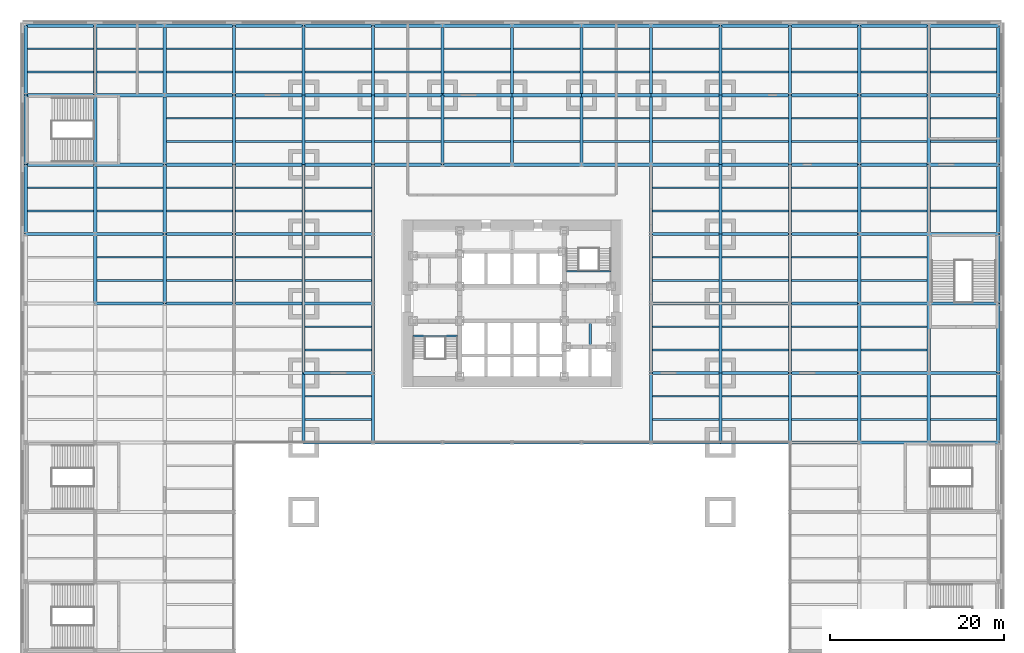
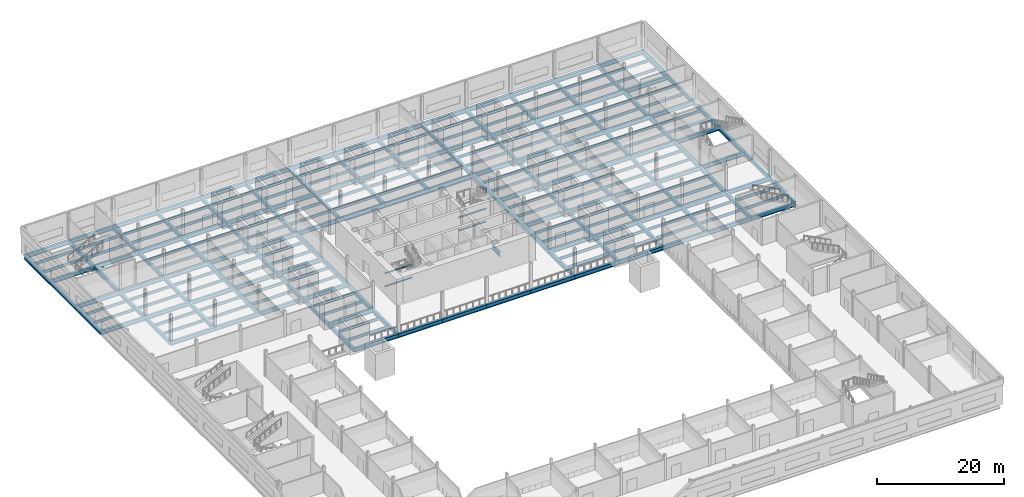
# One storey, part 8 of 22: 261 beams.
"""IFC4 building model written with IfcOpenShell, lengths in metres."""

import ifcopenshell
import ifcopenshell.guid

model = None  # the IFC model being written
_history = None  # IfcOwnerHistory: only IFC2X3 demands one
_inside = {}  # id of a spatial element -> (the spatial element, [elements in it])
_under = {}  # id of a project, library or spatial element -> (it, [spatial elements below it])
_declared = {}  # id of a project -> (the project, [libraries it declares])
_typed = {}  # id of a type object -> (the type object, [elements of that type])
_made_of = {}  # id of a material, layer set ... -> (it, [elements and type objects made of it])


def new_model(schema):
    """Start an empty IFC model of exactly this schema.

    Asked for "IFC4X3", IfcOpenShell would pick the latest addendum, in which some entities
    have other attributes; the version numbers below select the first issue.
    IFC2X3 requires an IfcOwnerHistory on every rooted entity: one is made here for all.
    """
    global model, _history
    if schema == "IFC4X3":
        model = ifcopenshell.file(schema_version=(4, 3, 0, 0))
    else:
        model = ifcopenshell.file(schema=schema)
    _inside.clear()
    _under.clear()
    _declared.clear()
    _typed.clear()
    _made_of.clear()
    _history = None
    if model.schema == "IFC2X3":
        org = make("IfcOrganization", Name="unknown")
        user = make(
            "IfcPersonAndOrganization",
            ThePerson=make("IfcPerson", FamilyName="unknown"),
            TheOrganization=org,
        )
        app = make(
            "IfcApplication",
            ApplicationDeveloper=org,
            Version="unknown",
            ApplicationFullName="unknown",
            ApplicationIdentifier="unknown",
        )
        _history = make(
            "IfcOwnerHistory",
            OwningUser=user,
            OwningApplication=app,
            ChangeAction="ADDED",
            CreationDate=0,
        )
    return model


def make(cls, **values):
    """One entity of the class cls with the attributes given. An attribute that is None is left unset."""
    return model.create_entity(
        cls, **{name: value for name, value in values.items() if value is not None}
    )


def rooted(cls, **values):
    """An entity with a GlobalId (a new one), such as an element, a storey or a relation."""
    return make(cls, GlobalId=ifcopenshell.guid.new(), OwnerHistory=_history, **values)


def si_unit(unit_type, name, prefix=None):
    """IfcSIUnit, for example si_unit("LENGTHUNIT", "METRE", prefix="MILLI")."""
    return make("IfcSIUnit", UnitType=unit_type, Prefix=prefix, Name=name)


def assignment(units):
    """IfcUnitAssignment: the units of a project."""
    return None if units is None else make("IfcUnitAssignment", Units=units)


def point(xyz):
    """IfcCartesianPoint."""
    return None if xyz is None else make("IfcCartesianPoint", Coordinates=xyz)


def direction(xyz):
    """IfcDirection."""
    return None if xyz is None else make("IfcDirection", DirectionRatios=xyz)


def frame(location, z_axis=None, x_axis=None):
    """IfcAxis2Placement3D, a coordinate frame: its origin and axes. An axis left out is left unset."""
    return make(
        "IfcAxis2Placement3D",
        Location=point(location),
        Axis=direction(z_axis),
        RefDirection=direction(x_axis),
    )


def frame_2d(location, x_axis=None):
    """IfcAxis2Placement2D, a coordinate frame in the plane: its origin and x axis."""
    return make(
        "IfcAxis2Placement2D", Location=point(location), RefDirection=direction(x_axis)
    )


def origin():
    """The frame at (0, 0, 0) with its axes left unset."""
    return frame((0.0, 0.0, 0.0))


def origin_2d():
    """The frame at (0, 0) in the plane with its x axis left unset."""
    return frame_2d((0.0, 0.0))


def place(relative_to, where):
    """IfcLocalPlacement: puts the frame where relative to a parent placement (None: the world)."""
    return make(
        "IfcLocalPlacement", PlacementRelTo=relative_to, RelativePlacement=where
    )


def context(
    kind, dimensions, precision=None, world=None, true_north=None, identifier=None
):
    """IfcGeometricRepresentationContext, for example the 3D "Model" context."""
    return make(
        "IfcGeometricRepresentationContext",
        ContextIdentifier=identifier,
        ContextType=kind,
        CoordinateSpaceDimension=dimensions,
        Precision=precision,
        WorldCoordinateSystem=world,
        TrueNorth=true_north,
    )


def subcontext(parent, identifier, kind, view, scale=None):
    """IfcGeometricRepresentationSubContext, for example "Body" below "Model"."""
    return make(
        "IfcGeometricRepresentationSubContext",
        ContextIdentifier=identifier,
        ContextType=kind,
        ParentContext=parent,
        TargetScale=scale,
        TargetView=view,
    )


def project(units=None, contexts=None):
    """IfcProject with its units and contexts."""
    return rooted(
        "IfcProject",
        Name="project",
        RepresentationContexts=contexts,
        UnitsInContext=assignment(units),
    )


def spatial(cls, under=None, at=None, **own):
    """A site, building, storey or space (cls), placed at a placement, below another one or the project."""
    s = rooted(cls, ObjectPlacement=at, **own)
    if under is not None:
        _under.setdefault(under.id(), (under, []))[1].append(s)
    return s


def profile(cls, at=None, kind="AREA", **sizes):
    """A parametric profile (cls). Its sizes go by their IFC names, for example OverallWidth=200.0."""
    return make(cls, ProfileType=kind, Position=at, **sizes)


def i_section(**sizes):
    """IfcIShapeProfileDef."""
    return profile("IfcIShapeProfileDef", **sizes)


def extrude(swept, where, along, depth):
    """IfcExtrudedAreaSolid: the profile swept, set in the frame where, extruded along a direction by depth."""
    return make(
        "IfcExtrudedAreaSolid",
        SweptArea=swept,
        Position=where,
        ExtrudedDirection=direction(along),
        Depth=depth,
    )


def shape(context_of_items, identifier, shape_type, items):
    """IfcShapeRepresentation: the items that make up one representation, for example the "Body"."""
    return make(
        "IfcShapeRepresentation",
        ContextOfItems=context_of_items,
        RepresentationIdentifier=identifier,
        RepresentationType=shape_type,
        Items=items,
    )


def material(Name=None, Category=None):
    """IfcMaterial."""
    return make("IfcMaterial", Name=Name, Category=Category)


def material_profile(
    of_material, cross_section, Name=None, Category=None, Priority=None
):
    """IfcMaterialProfile: a cross section and its material."""
    return make(
        "IfcMaterialProfile",
        Name=Name,
        Material=of_material,
        Profile=cross_section,
        Priority=Priority,
        Category=Category,
    )


def profile_set(profiles, Name=None, composite=None):
    """IfcMaterialProfileSet."""
    return make(
        "IfcMaterialProfileSet",
        Name=Name,
        MaterialProfiles=profiles,
        CompositeProfile=composite,
    )


def made_of(thing, what):
    """Note that an element or type object is made of a material, layer set ...; save() writes the relation."""
    if what is not None:
        _made_of.setdefault(what.id(), (what, []))[1].append(thing)
    return thing


def type_object(cls, material=None, **own):
    """A type object (cls), such as IfcWallType, which elements share."""
    return made_of(rooted(cls, **own), material)


def element(
    cls,
    number,
    at=None,
    inside=None,
    cuts=None,
    type_object=None,
    material=None,
    context=None,
    identifier="Body",
    shape_type=None,
    held_by="IfcProductDefinitionShape",
    body=None,
    shapes=None,
    **own,
):
    """One element of the class cls, such as IfcWall. Its Tag is "e" and its number.

    at: its placement. inside: the storey or other place that contains it. cuts: it is an
    opening in that element (IfcRelVoidsElement). A single representation is given by context,
    identifier, shape_type and body (its items); several are given by shapes. held_by: the class
    of the entity that holds the representations. save() writes the other relations.
    """
    e = rooted(cls, Tag="e%d" % number, ObjectPlacement=at, **own)
    if body is not None:
        shapes = [shape(context, identifier, shape_type, body)]
    if shapes is not None:
        e.Representation = make(held_by, Representations=shapes)
    if inside is not None:
        _inside.setdefault(inside.id(), (inside, []))[1].append(e)
    if cuts is not None:
        rooted(
            "IfcRelVoidsElement", RelatingBuildingElement=cuts, RelatedOpeningElement=e
        )
    if type_object is not None:
        _typed.setdefault(type_object.id(), (type_object, []))[1].append(e)
    return made_of(e, material)


def aggregate(whole, parts):
    """IfcRelAggregates: a whole, such as a stair, and the parts it consists of."""
    return rooted("IfcRelAggregates", RelatingObject=whole, RelatedObjects=parts)


def save(model, path):
    """Write the relations noted so far, then the file.

    IfcRelAggregates (storeys below a building ...), IfcRelContainedInSpatialStructure (elements
    in a storey), IfcRelDefinesByType, IfcRelAssociatesMaterial and IfcRelDeclares: one each for
    every whole, place, type object, material and project.
    """
    for whole, parts in _under.values():
        aggregate(whole, parts)
    for where, things in _inside.values():
        rooted(
            "IfcRelContainedInSpatialStructure",
            RelatedElements=things,
            RelatingStructure=where,
        )
    for kind, things in _typed.values():
        rooted("IfcRelDefinesByType", RelatedObjects=things, RelatingType=kind)
    for what, things in _made_of.values():
        rooted("IfcRelAssociatesMaterial", RelatedObjects=things, RelatingMaterial=what)
    for by, libraries in _declared.values():
        rooted("IfcRelDeclares", RelatingContext=by, RelatedDefinitions=libraries)
    model.write(path)


model = new_model("IFC4")

# Units and contexts
model_context = context("Model", 3, precision=1e-05, world=origin(), true_north=direction((0.0, 1.0)))
body_context = subcontext(model_context, "Body", "Model", "MODEL_VIEW")
ifc_project = project(units=[si_unit("LENGTHUNIT", "METRE"), si_unit("AREAUNIT", "SQUARE_METRE"), si_unit("VOLUMEUNIT", "CUBIC_METRE"), si_unit("PLANEANGLEUNIT", "RADIAN"), si_unit("MASSUNIT", "GRAM", prefix="KILO")], contexts=[model_context])

# Site, building, storey
site_placement = place(None, origin())
site = spatial("IfcSite", under=ifc_project, at=site_placement, CompositionType="ELEMENT")
building_placement = place(site_placement, origin())
building = spatial("IfcBuilding", under=site, at=building_placement, Name="Daluyong Arena Tower", CompositionType="ELEMENT")
storey_placement = place(building_placement, frame((0.0, 0.0, 9.89990234375)))
storey = spatial("IfcBuildingStorey", under=building, at=storey_placement, Name="L02", CompositionType="ELEMENT", Elevation=9.89990234375)

# Beams
ifc_material_1 = material(Name="Steel ASTM A572 Grade 50", Category="steel")
ifc_material_profile_1 = material_profile(ifc_material_1, i_section(OverallWidth=0.300048828125, OverallDepth=0.89990234375, WebThickness=0.025, FlangeThickness=0.04, at=origin_2d()))
ifc_profile_set_1 = profile_set([ifc_material_profile_1], Name="Steel ASTM A572 Grade 50")
beam_type_1 = type_object("IfcBeamType", Name="Lift divider beam PG900X300", PredefinedType="BEAM", material=ifc_profile_set_1)
beam_1_placement = place(storey_placement, frame((65.0, 75.300048828125, -0.64990234375), z_axis=(0.0, 1.0, 0.0), x_axis=(-1.0, 0.0, 0.0)))
element("IfcBeam", 1, at=beam_1_placement, inside=storey, type_object=beam_type_1, Name="lift divider beam DB1", PredefinedType="BEAM", context=body_context, shape_type="SweptSolid", body=[
    extrude(i_section(OverallWidth=0.300048828125, OverallDepth=0.89990234375, WebThickness=0.025, FlangeThickness=0.04, at=origin_2d()), origin(), (0.0, 0.0, 1.0), 2.39990234375),
])
ifc_material_2 = material(Name="Steel ASTM A992 Grade 50", Category="steel")
ifc_material_profile_2 = material_profile(ifc_material_2, i_section(OverallWidth=0.209228515625, OverallDepth=0.533447265625, WebThickness=0.01025390625, FlangeThickness=0.015625, at=origin_2d()))
ifc_profile_set_2 = profile_set([ifc_material_profile_2], Name="Steel ASTM A992 Grade 50")
beam_type_2 = type_object("IfcBeamType", Name="Podium floor beam W21X62", PredefinedType="BEAM", material=ifc_profile_set_2)
for number, where, z_axis, x_axis, name in (
    (2, (0.1904296875, 90.666748046875, -0.466552734375), (1.0, 0.0, 0.0), (0.0, 1.0, 0.0), "podium floor beam PB1"),
    (3, (0.1904296875, 93.333251953125, -0.466552734375), (1.0, 0.0, 0.0), (0.0, 1.0, 0.0), "podium floor beam PB1"),
    (4, (0.1904296875, 106.666748046875, -0.466552734375), (1.0, 0.0, 0.0), (0.0, 1.0, 0.0), "podium floor beam PB1"),
    (5, (0.1904296875, 109.333251953125, -0.466552734375), (1.0, 0.0, 0.0), (0.0, 1.0, 0.0), "podium floor beam PB1"),
    (6, (8.1904296875, 82.666748046875, -0.466552734375), (1.0, 0.0, 0.0), (0.0, 1.0, 0.0), "podium floor beam PB1"),
    (7, (8.1904296875, 85.333251953125, -0.466552734375), (1.0, 0.0, 0.0), (0.0, 1.0, 0.0), "podium floor beam PB1"),
    (8, (8.1904296875, 90.666748046875, -0.466552734375), (1.0, 0.0, 0.0), (0.0, 1.0, 0.0), "podium floor beam PB1"),
    (9, (8.1904296875, 93.333251953125, -0.466552734375), (1.0, 0.0, 0.0), (0.0, 1.0, 0.0), "podium floor beam PB1"),
    (10, (8.1904296875, 106.666748046875, -0.466552734375), (1.0, 0.0, 0.0), (0.0, 1.0, 0.0), "podium floor beam PB1"),
    (11, (8.1904296875, 109.333251953125, -0.466552734375), (1.0, 0.0, 0.0), (0.0, 1.0, 0.0), "podium floor beam PB1"),
    (12, (16.1904296875, 82.666748046875, -0.466552734375), (1.0, 0.0, 0.0), (0.0, 1.0, 0.0), "podium floor beam PB1"),
    (13, (16.1904296875, 85.333251953125, -0.466552734375), (1.0, 0.0, 0.0), (0.0, 1.0, 0.0), "podium floor beam PB1"),
    (14, (16.1904296875, 90.666748046875, -0.466552734375), (1.0, 0.0, 0.0), (0.0, 1.0, 0.0), "podium floor beam PB1"),
    (15, (16.1904296875, 93.333251953125, -0.466552734375), (1.0, 0.0, 0.0), (0.0, 1.0, 0.0), "podium floor beam PB1"),
    (16, (16.1904296875, 98.666748046875, -0.466552734375), (1.0, 0.0, 0.0), (0.0, 1.0, 0.0), "podium floor beam PB1"),
    (17, (16.1904296875, 101.333251953125, -0.466552734375), (1.0, 0.0, 0.0), (0.0, 1.0, 0.0), "podium floor beam PB1"),
    (18, (16.1904296875, 106.666748046875, -0.466552734375), (1.0, 0.0, 0.0), (0.0, 1.0, 0.0), "podium floor beam PB1"),
    (19, (16.1904296875, 109.333251953125, -0.466552734375), (1.0, 0.0, 0.0), (0.0, 1.0, 0.0), "podium floor beam PB1"),
    (20, (24.1904296875, 82.666748046875, -0.466552734375), (1.0, 0.0, 0.0), (0.0, 1.0, 0.0), "podium floor beam PB1"),
    (21, (24.1904296875, 85.333251953125, -0.466552734375), (1.0, 0.0, 0.0), (0.0, 1.0, 0.0), "podium floor beam PB1"),
    (22, (24.1904296875, 90.666748046875, -0.466552734375), (1.0, 0.0, 0.0), (0.0, 1.0, 0.0), "podium floor beam PB1"),
    (23, (24.1904296875, 93.333251953125, -0.466552734375), (1.0, 0.0, 0.0), (0.0, 1.0, 0.0), "podium floor beam PB1"),
    (24, (24.1904296875, 98.666748046875, -0.466552734375), (1.0, 0.0, 0.0), (0.0, 1.0, 0.0), "podium floor beam PB1"),
    (25, (24.1904296875, 101.333251953125, -0.466552734375), (1.0, 0.0, 0.0), (0.0, 1.0, 0.0), "podium floor beam PB1"),
    (26, (24.1904296875, 106.666748046875, -0.466552734375), (1.0, 0.0, 0.0), (0.0, 1.0, 0.0), "podium floor beam PB1"),
    (27, (24.1904296875, 109.333251953125, -0.466552734375), (1.0, 0.0, 0.0), (0.0, 1.0, 0.0), "podium floor beam PB1"),
    (28, (32.1904296875, 66.666748046875, -0.466552734375), (1.0, 0.0, 0.0), (0.0, 1.0, 0.0), "podium floor beam PB1"),
    (29, (32.1904296875, 69.333251953125, -0.466552734375), (1.0, 0.0, 0.0), (0.0, 1.0, 0.0), "podium floor beam PB1"),
    (30, (32.1904296875, 74.666748046875, -0.466552734375), (1.0, 0.0, 0.0), (0.0, 1.0, 0.0), "podium floor beam PB1"),
    (31, (32.1904296875, 77.333251953125, -0.466552734375), (1.0, 0.0, 0.0), (0.0, 1.0, 0.0), "podium floor beam PB1"),
    (32, (32.1904296875, 82.666748046875, -0.466552734375), (1.0, 0.0, 0.0), (0.0, 1.0, 0.0), "podium floor beam PB1"),
    (33, (32.1904296875, 85.333251953125, -0.466552734375), (1.0, 0.0, 0.0), (0.0, 1.0, 0.0), "podium floor beam PB1"),
    (34, (32.1904296875, 90.666748046875, -0.466552734375), (1.0, 0.0, 0.0), (0.0, 1.0, 0.0), "podium floor beam PB1"),
    (35, (32.1904296875, 93.333251953125, -0.466552734375), (1.0, 0.0, 0.0), (0.0, 1.0, 0.0), "podium floor beam PB1"),
    (36, (32.1904296875, 98.666748046875, -0.466552734375), (1.0, 0.0, 0.0), (0.0, 1.0, 0.0), "podium floor beam PB1"),
    (37, (32.1904296875, 101.333251953125, -0.466552734375), (1.0, 0.0, 0.0), (0.0, 1.0, 0.0), "podium floor beam PB1"),
    (38, (32.1904296875, 106.666748046875, -0.466552734375), (1.0, 0.0, 0.0), (0.0, 1.0, 0.0), "podium floor beam PB1"),
    (39, (32.1904296875, 109.333251953125, -0.466552734375), (1.0, 0.0, 0.0), (0.0, 1.0, 0.0), "podium floor beam PB1"),
    (40, (40.1904296875, 98.666748046875, -0.466552734375), (1.0, 0.0, 0.0), (0.0, 1.0, 0.0), "podium floor beam PB1"),
    (41, (40.1904296875, 101.333251953125, -0.466552734375), (1.0, 0.0, 0.0), (0.0, 1.0, 0.0), "podium floor beam PB1"),
    (42, (40.1904296875, 106.666748046875, -0.466552734375), (1.0, 0.0, 0.0), (0.0, 1.0, 0.0), "podium floor beam PB1"),
    (43, (40.1904296875, 109.333251953125, -0.466552734375), (1.0, 0.0, 0.0), (0.0, 1.0, 0.0), "podium floor beam PB1"),
    (44, (48.1904296875, 98.666748046875, -0.466552734375), (1.0, 0.0, 0.0), (0.0, 1.0, 0.0), "podium floor beam PB1"),
    (45, (48.1904296875, 101.333251953125, -0.466552734375), (1.0, 0.0, 0.0), (0.0, 1.0, 0.0), "podium floor beam PB1"),
    (46, (48.1904296875, 106.666748046875, -0.466552734375), (1.0, 0.0, 0.0), (0.0, 1.0, 0.0), "podium floor beam PB1"),
    (47, (48.1904296875, 109.333251953125, -0.466552734375), (1.0, 0.0, 0.0), (0.0, 1.0, 0.0), "podium floor beam PB1"),
    (48, (56.1904296875, 98.666748046875, -0.466552734375), (1.0, 0.0, 0.0), (0.0, 1.0, 0.0), "podium floor beam PB1"),
    (49, (56.1904296875, 101.333251953125, -0.466552734375), (1.0, 0.0, 0.0), (0.0, 1.0, 0.0), "podium floor beam PB1"),
    (50, (56.1904296875, 106.666748046875, -0.466552734375), (1.0, 0.0, 0.0), (0.0, 1.0, 0.0), "podium floor beam PB1"),
    (51, (56.1904296875, 109.333251953125, -0.466552734375), (1.0, 0.0, 0.0), (0.0, 1.0, 0.0), "podium floor beam PB1"),
    (52, (64.1904296875, 98.666748046875, -0.466552734375), (1.0, 0.0, 0.0), (0.0, 1.0, 0.0), "podium floor beam PB1"),
    (53, (64.1904296875, 101.333251953125, -0.466552734375), (1.0, 0.0, 0.0), (0.0, 1.0, 0.0), "podium floor beam PB1"),
    (54, (64.1904296875, 106.666748046875, -0.466552734375), (1.0, 0.0, 0.0), (0.0, 1.0, 0.0), "podium floor beam PB1"),
    (55, (64.1904296875, 109.333251953125, -0.466552734375), (1.0, 0.0, 0.0), (0.0, 1.0, 0.0), "podium floor beam PB1"),
    (56, (72.1904296875, 66.666748046875, -0.466552734375), (1.0, 0.0, 0.0), (0.0, 1.0, 0.0), "podium floor beam PB1"),
    (57, (72.1904296875, 69.333251953125, -0.466552734375), (1.0, 0.0, 0.0), (0.0, 1.0, 0.0), "podium floor beam PB1"),
    (58, (72.1904296875, 74.666748046875, -0.466552734375), (1.0, 0.0, 0.0), (0.0, 1.0, 0.0), "podium floor beam PB1"),
    (59, (72.1904296875, 77.333251953125, -0.466552734375), (1.0, 0.0, 0.0), (0.0, 1.0, 0.0), "podium floor beam PB1"),
    (60, (72.1904296875, 82.666748046875, -0.466552734375), (1.0, 0.0, 0.0), (0.0, 1.0, 0.0), "podium floor beam PB1"),
    (61, (72.1904296875, 85.333251953125, -0.466552734375), (1.0, 0.0, 0.0), (0.0, 1.0, 0.0), "podium floor beam PB1"),
    (62, (72.1904296875, 90.666748046875, -0.466552734375), (1.0, 0.0, 0.0), (0.0, 1.0, 0.0), "podium floor beam PB1"),
    (63, (72.1904296875, 93.333251953125, -0.466552734375), (1.0, 0.0, 0.0), (0.0, 1.0, 0.0), "podium floor beam PB1"),
    (64, (72.1904296875, 98.666748046875, -0.466552734375), (1.0, 0.0, 0.0), (0.0, 1.0, 0.0), "podium floor beam PB1"),
    (65, (72.1904296875, 101.333251953125, -0.466552734375), (1.0, 0.0, 0.0), (0.0, 1.0, 0.0), "podium floor beam PB1"),
    (66, (72.1904296875, 106.666748046875, -0.466552734375), (1.0, 0.0, 0.0), (0.0, 1.0, 0.0), "podium floor beam PB1"),
    (67, (72.1904296875, 109.333251953125, -0.466552734375), (1.0, 0.0, 0.0), (0.0, 1.0, 0.0), "podium floor beam PB1"),
    (68, (80.1904296875, 66.666748046875, -0.466552734375), (1.0, 0.0, 0.0), (0.0, 1.0, 0.0), "podium floor beam PB1"),
    (69, (80.1904296875, 69.333251953125, -0.466552734375), (1.0, 0.0, 0.0), (0.0, 1.0, 0.0), "podium floor beam PB1"),
    (70, (80.1904296875, 74.666748046875, -0.466552734375), (1.0, 0.0, 0.0), (0.0, 1.0, 0.0), "podium floor beam PB1"),
    (71, (80.1904296875, 77.333251953125, -0.466552734375), (1.0, 0.0, 0.0), (0.0, 1.0, 0.0), "podium floor beam PB1"),
    (72, (80.1904296875, 82.666748046875, -0.466552734375), (1.0, 0.0, 0.0), (0.0, 1.0, 0.0), "podium floor beam PB1"),
    (73, (80.1904296875, 85.333251953125, -0.466552734375), (1.0, 0.0, 0.0), (0.0, 1.0, 0.0), "podium floor beam PB1"),
    (74, (80.1904296875, 90.666748046875, -0.466552734375), (1.0, 0.0, 0.0), (0.0, 1.0, 0.0), "podium floor beam PB1"),
    (75, (80.1904296875, 93.333251953125, -0.466552734375), (1.0, 0.0, 0.0), (0.0, 1.0, 0.0), "podium floor beam PB1"),
    (76, (80.1904296875, 98.666748046875, -0.466552734375), (1.0, 0.0, 0.0), (0.0, 1.0, 0.0), "podium floor beam PB1"),
    (77, (80.1904296875, 101.333251953125, -0.466552734375), (1.0, 0.0, 0.0), (0.0, 1.0, 0.0), "podium floor beam PB1"),
    (78, (80.1904296875, 106.666748046875, -0.466552734375), (1.0, 0.0, 0.0), (0.0, 1.0, 0.0), "podium floor beam PB1"),
    (79, (80.1904296875, 109.333251953125, -0.466552734375), (1.0, 0.0, 0.0), (0.0, 1.0, 0.0), "podium floor beam PB1"),
    (80, (88.1904296875, 66.666748046875, -0.466552734375), (1.0, 0.0, 0.0), (0.0, 1.0, 0.0), "podium floor beam PB1"),
    (81, (88.1904296875, 69.333251953125, -0.466552734375), (1.0, 0.0, 0.0), (0.0, 1.0, 0.0), "podium floor beam PB1"),
    (82, (88.1904296875, 74.666748046875, -0.466552734375), (1.0, 0.0, 0.0), (0.0, 1.0, 0.0), "podium floor beam PB1"),
    (83, (88.1904296875, 77.333251953125, -0.466552734375), (1.0, 0.0, 0.0), (0.0, 1.0, 0.0), "podium floor beam PB1"),
    (84, (88.1904296875, 82.666748046875, -0.466552734375), (1.0, 0.0, 0.0), (0.0, 1.0, 0.0), "podium floor beam PB1"),
    (85, (88.1904296875, 85.333251953125, -0.466552734375), (1.0, 0.0, 0.0), (0.0, 1.0, 0.0), "podium floor beam PB1"),
    (86, (88.1904296875, 90.666748046875, -0.466552734375), (1.0, 0.0, 0.0), (0.0, 1.0, 0.0), "podium floor beam PB1"),
    (87, (88.1904296875, 93.333251953125, -0.466552734375), (1.0, 0.0, 0.0), (0.0, 1.0, 0.0), "podium floor beam PB1"),
    (88, (88.1904296875, 98.666748046875, -0.466552734375), (1.0, 0.0, 0.0), (0.0, 1.0, 0.0), "podium floor beam PB1"),
    (89, (88.1904296875, 101.333251953125, -0.466552734375), (1.0, 0.0, 0.0), (0.0, 1.0, 0.0), "podium floor beam PB1"),
    (90, (88.1904296875, 106.666748046875, -0.466552734375), (1.0, 0.0, 0.0), (0.0, 1.0, 0.0), "podium floor beam PB1"),
    (91, (88.1904296875, 109.333251953125, -0.466552734375), (1.0, 0.0, 0.0), (0.0, 1.0, 0.0), "podium floor beam PB1"),
    (92, (96.1904296875, 66.666748046875, -0.466552734375), (1.0, 0.0, 0.0), (0.0, 1.0, 0.0), "podium floor beam PB1"),
    (93, (96.1904296875, 69.333251953125, -0.466552734375), (1.0, 0.0, 0.0), (0.0, 1.0, 0.0), "podium floor beam PB1"),
    (94, (96.1904296875, 74.666748046875, -0.466552734375), (1.0, 0.0, 0.0), (0.0, 1.0, 0.0), "podium floor beam PB1"),
    (95, (96.1904296875, 77.333251953125, -0.466552734375), (1.0, 0.0, 0.0), (0.0, 1.0, 0.0), "podium floor beam PB1"),
    (96, (96.1904296875, 82.666748046875, -0.466552734375), (1.0, 0.0, 0.0), (0.0, 1.0, 0.0), "podium floor beam PB1"),
    (97, (96.1904296875, 85.333251953125, -0.466552734375), (1.0, 0.0, 0.0), (0.0, 1.0, 0.0), "podium floor beam PB1"),
    (98, (96.1904296875, 90.666748046875, -0.466552734375), (1.0, 0.0, 0.0), (0.0, 1.0, 0.0), "podium floor beam PB1"),
    (99, (96.1904296875, 93.333251953125, -0.466552734375), (1.0, 0.0, 0.0), (0.0, 1.0, 0.0), "podium floor beam PB1"),
    (100, (96.1904296875, 98.666748046875, -0.466552734375), (1.0, 0.0, 0.0), (0.0, 1.0, 0.0), "podium floor beam PB1"),
    (101, (96.1904296875, 101.333251953125, -0.466552734375), (1.0, 0.0, 0.0), (0.0, 1.0, 0.0), "podium floor beam PB1"),
    (102, (96.1904296875, 106.666748046875, -0.466552734375), (1.0, 0.0, 0.0), (0.0, 1.0, 0.0), "podium floor beam PB1"),
    (103, (96.1904296875, 109.333251953125, -0.466552734375), (1.0, 0.0, 0.0), (0.0, 1.0, 0.0), "podium floor beam PB1"),
    (104, (104.1904296875, 66.666748046875, -0.466552734375), (1.0, 0.0, 0.0), (0.0, 1.0, 0.0), "podium floor beam PB1"),
    (105, (104.1904296875, 69.333251953125, -0.466552734375), (1.0, 0.0, 0.0), (0.0, 1.0, 0.0), "podium floor beam PB1"),
    (106, (104.1904296875, 90.666748046875, -0.466552734375), (1.0, 0.0, 0.0), (0.0, 1.0, 0.0), "podium floor beam PB1"),
    (107, (104.1904296875, 93.333251953125, -0.466552734375), (1.0, 0.0, 0.0), (0.0, 1.0, 0.0), "podium floor beam PB1"),
    (108, (104.1904296875, 98.666748046875, -0.466552734375), (1.0, 0.0, 0.0), (0.0, 1.0, 0.0), "podium floor beam PB1"),
    (109, (104.1904296875, 101.333251953125, -0.466552734375), (1.0, 0.0, 0.0), (0.0, 1.0, 0.0), "podium floor beam PB1"),
    (110, (104.1904296875, 106.666748046875, -0.466552734375), (1.0, 0.0, 0.0), (0.0, 1.0, 0.0), "podium floor beam PB1"),
    (111, (104.1904296875, 109.333251953125, -0.466552734375), (1.0, 0.0, 0.0), (0.0, 1.0, 0.0), "podium floor beam PB1"),
):
    element("IfcBeam", number, at=place(storey_placement, frame(where, z_axis=z_axis, x_axis=x_axis)), inside=storey, type_object=beam_type_2, Name=name, PredefinedType="BEAM", context=body_context, shape_type="SweptSolid", body=[
        extrude(i_section(OverallWidth=0.209228515625, OverallDepth=0.533447265625, WebThickness=0.01025390625, FlangeThickness=0.015625, at=origin_2d()), origin(), (0.0, 0.0, 1.0), 7.619140625),
    ])
ifc_material_3 = material(Name="Steel ASTM A992 Grade 50", Category="steel")
ifc_material_profile_3 = material_profile(ifc_material_3, i_section(OverallWidth=0.381103515625, OverallDepth=0.772216796875, WebThickness=0.0166015625, FlangeThickness=0.027099609375, at=origin_2d()))
ifc_profile_set_3 = profile_set([ifc_material_profile_3], Name="Steel ASTM A992 Grade 50")
beam_type_3 = type_object("IfcBeamType", Name="Podium girder W30X173", PredefinedType="BEAM", material=ifc_profile_set_3)
for number, where, z_axis, x_axis, name in (
    (112, (0.0, 88.0, -0.5859375), (1.0, 0.0, 0.0), (0.0, 1.0, 0.0), "podium girder PG1"),
    (113, (0.0, 88.0, -0.5859375), (0.0, 1.0, 0.0), (-1.0, 0.0, 0.0), "podium girder PG1"),
    (114, (0.0, 96.0, -0.5859375), (1.0, 0.0, 0.0), (0.0, 1.0, 0.0), "podium girder PG1"),
    (115, (0.0, 96.0, -0.5859375), (0.0, 1.0, 0.0), (-1.0, 0.0, 0.0), "podium girder PG1"),
    (116, (0.0, 104.0, -0.5859375), (1.0, 0.0, 0.0), (0.0, 1.0, 0.0), "podium girder PG1"),
    (117, (0.0, 104.0, -0.5859375), (0.0, 1.0, 0.0), (-1.0, 0.0, 0.0), "podium girder PG1"),
    (118, (0.0, 112.0, -0.5859375), (1.0, 0.0, 0.0), (0.0, 1.0, 0.0), "podium girder PG1"),
    (119, (8.0, 80.0, -0.5859375), (1.0, 0.0, 0.0), (0.0, 1.0, 0.0), "podium girder PG1"),
    (120, (8.0, 80.0, -0.5859375), (0.0, 1.0, 0.0), (-1.0, 0.0, 0.0), "podium girder PG1"),
    (121, (8.0, 88.0, -0.5859375), (1.0, 0.0, 0.0), (0.0, 1.0, 0.0), "podium girder PG1"),
    (122, (8.0, 88.0, -0.5859375), (0.0, 1.0, 0.0), (-1.0, 0.0, 0.0), "podium girder PG1"),
    (123, (8.0, 96.0, -0.5859375), (1.0, 0.0, 0.0), (0.0, 1.0, 0.0), "podium girder PG1"),
    (124, (8.0, 96.0, -0.5859375), (0.0, 1.0, 0.0), (-1.0, 0.0, 0.0), "podium girder PG1"),
    (125, (8.0, 104.0, -0.5859375), (1.0, 0.0, 0.0), (0.0, 1.0, 0.0), "podium girder PG1"),
    (126, (8.0, 104.0, -0.5859375), (0.0, 1.0, 0.0), (-1.0, 0.0, 0.0), "podium girder PG1"),
    (127, (8.0, 112.0, -0.5859375), (1.0, 0.0, 0.0), (0.0, 1.0, 0.0), "podium girder PG1"),
    (128, (16.0, 80.0, -0.5859375), (1.0, 0.0, 0.0), (0.0, 1.0, 0.0), "podium girder PG1"),
    (129, (16.0, 80.0, -0.5859375), (0.0, 1.0, 0.0), (-1.0, 0.0, 0.0), "podium girder PG1"),
    (130, (16.0, 88.0, -0.5859375), (1.0, 0.0, 0.0), (0.0, 1.0, 0.0), "podium girder PG1"),
    (131, (16.0, 88.0, -0.5859375), (0.0, 1.0, 0.0), (-1.0, 0.0, 0.0), "podium girder PG1"),
    (132, (16.0, 96.0, -0.5859375), (1.0, 0.0, 0.0), (0.0, 1.0, 0.0), "podium girder PG1"),
    (133, (16.0, 96.0, -0.5859375), (0.0, 1.0, 0.0), (-1.0, 0.0, 0.0), "podium girder PG1"),
    (134, (16.0, 104.0, -0.5859375), (1.0, 0.0, 0.0), (0.0, 1.0, 0.0), "podium girder PG1"),
    (135, (16.0, 104.0, -0.5859375), (0.0, 1.0, 0.0), (-1.0, 0.0, 0.0), "podium girder PG1"),
    (136, (16.0, 112.0, -0.5859375), (1.0, 0.0, 0.0), (0.0, 1.0, 0.0), "podium girder PG1"),
    (137, (24.0, 80.0, -0.5859375), (1.0, 0.0, 0.0), (0.0, 1.0, 0.0), "podium girder PG1"),
    (138, (24.0, 80.0, -0.5859375), (0.0, 1.0, 0.0), (-1.0, 0.0, 0.0), "podium girder PG1"),
    (139, (24.0, 88.0, -0.5859375), (1.0, 0.0, 0.0), (0.0, 1.0, 0.0), "podium girder PG1"),
    (140, (24.0, 88.0, -0.5859375), (0.0, 1.0, 0.0), (-1.0, 0.0, 0.0), "podium girder PG1"),
    (141, (24.0, 96.0, -0.5859375), (1.0, 0.0, 0.0), (0.0, 1.0, 0.0), "podium girder PG1"),
    (142, (24.0, 96.0, -0.5859375), (0.0, 1.0, 0.0), (-1.0, 0.0, 0.0), "podium girder PG1"),
    (143, (24.0, 104.0, -0.5859375), (1.0, 0.0, 0.0), (0.0, 1.0, 0.0), "podium girder PG1"),
    (144, (24.0, 104.0, -0.5859375), (0.0, 1.0, 0.0), (-1.0, 0.0, 0.0), "podium girder PG1"),
    (145, (24.0, 112.0, -0.5859375), (1.0, 0.0, 0.0), (0.0, 1.0, 0.0), "podium girder PG1"),
    (146, (32.0, 64.0, -0.5859375), (1.0, 0.0, 0.0), (0.0, 1.0, 0.0), "podium girder PG1"),
    (147, (32.0, 64.0, -0.5859375), (0.0, 1.0, 0.0), (-1.0, 0.0, 0.0), "podium girder PG1"),
    (148, (32.0, 72.0, -0.5859375), (1.0, 0.0, 0.0), (0.0, 1.0, 0.0), "podium girder PG1"),
    (149, (32.0, 72.0, -0.5859375), (0.0, 1.0, 0.0), (-1.0, 0.0, 0.0), "podium girder PG1"),
    (150, (32.0, 80.0, -0.5859375), (1.0, 0.0, 0.0), (0.0, 1.0, 0.0), "podium girder PG1"),
    (151, (32.0, 80.0, -0.5859375), (0.0, 1.0, 0.0), (-1.0, 0.0, 0.0), "podium girder PG1"),
    (152, (32.0, 88.0, -0.5859375), (1.0, 0.0, 0.0), (0.0, 1.0, 0.0), "podium girder PG1"),
    (153, (32.0, 88.0, -0.5859375), (0.0, 1.0, 0.0), (-1.0, 0.0, 0.0), "podium girder PG1"),
    (154, (32.0, 96.0, -0.5859375), (1.0, 0.0, 0.0), (0.0, 1.0, 0.0), "podium girder PG1"),
    (155, (32.0, 96.0, -0.5859375), (0.0, 1.0, 0.0), (-1.0, 0.0, 0.0), "podium girder PG1"),
    (156, (32.0, 104.0, -0.5859375), (1.0, 0.0, 0.0), (0.0, 1.0, 0.0), "podium girder PG1"),
    (157, (32.0, 104.0, -0.5859375), (0.0, 1.0, 0.0), (-1.0, 0.0, 0.0), "podium girder PG1"),
    (158, (32.0, 112.0, -0.5859375), (1.0, 0.0, 0.0), (0.0, 1.0, 0.0), "podium girder PG1"),
    (159, (40.0, 64.0, -0.5859375), (1.0, 0.0, 0.0), (0.0, 1.0, 0.0), "podium girder PG1"),
    (160, (40.0, 64.0, -0.5859375), (0.0, 1.0, 0.0), (-1.0, 0.0, 0.0), "podium girder PG1"),
    (161, (40.0, 72.0, -0.5859375), (0.0, 1.0, 0.0), (-1.0, 0.0, 0.0), "podium girder PG1"),
    (162, (40.0, 80.0, -0.5859375), (0.0, 1.0, 0.0), (-1.0, 0.0, 0.0), "podium girder PG1"),
    (163, (40.0, 88.0, -0.5859375), (0.0, 1.0, 0.0), (-1.0, 0.0, 0.0), "podium girder PG1"),
    (164, (40.0, 96.0, -0.5859375), (1.0, 0.0, 0.0), (0.0, 1.0, 0.0), "podium girder PG1"),
    (165, (40.0, 96.0, -0.5859375), (0.0, 1.0, 0.0), (-1.0, 0.0, 0.0), "podium girder PG1"),
    (166, (40.0, 104.0, -0.5859375), (1.0, 0.0, 0.0), (0.0, 1.0, 0.0), "podium girder PG1"),
    (167, (40.0, 104.0, -0.5859375), (0.0, 1.0, 0.0), (-1.0, 0.0, 0.0), "podium girder PG1"),
    (168, (40.0, 112.0, -0.5859375), (1.0, 0.0, 0.0), (0.0, 1.0, 0.0), "podium girder PG1"),
    (169, (48.0, 64.0, -0.5859375), (1.0, 0.0, 0.0), (0.0, 1.0, 0.0), "podium girder PG1"),
    (170, (48.0, 96.0, -0.5859375), (1.0, 0.0, 0.0), (0.0, 1.0, 0.0), "podium girder PG1"),
    (171, (48.0, 96.0, -0.5859375), (0.0, 1.0, 0.0), (-1.0, 0.0, 0.0), "podium girder PG1"),
    (172, (48.0, 104.0, -0.5859375), (1.0, 0.0, 0.0), (0.0, 1.0, 0.0), "podium girder PG1"),
    (173, (48.0, 104.0, -0.5859375), (0.0, 1.0, 0.0), (-1.0, 0.0, 0.0), "podium girder PG1"),
    (174, (48.0, 112.0, -0.5859375), (1.0, 0.0, 0.0), (0.0, 1.0, 0.0), "podium girder PG1"),
    (175, (56.0, 64.0, -0.5859375), (1.0, 0.0, 0.0), (0.0, 1.0, 0.0), "podium girder PG1"),
    (176, (56.0, 96.0, -0.5859375), (1.0, 0.0, 0.0), (0.0, 1.0, 0.0), "podium girder PG1"),
    (177, (56.0, 96.0, -0.5859375), (0.0, 1.0, 0.0), (-1.0, 0.0, 0.0), "podium girder PG1"),
    (178, (56.0, 104.0, -0.5859375), (1.0, 0.0, 0.0), (0.0, 1.0, 0.0), "podium girder PG1"),
    (179, (56.0, 104.0, -0.5859375), (0.0, 1.0, 0.0), (-1.0, 0.0, 0.0), "podium girder PG1"),
    (180, (56.0, 112.0, -0.5859375), (1.0, 0.0, 0.0), (0.0, 1.0, 0.0), "podium girder PG1"),
    (181, (64.0, 64.0, -0.5859375), (1.0, 0.0, 0.0), (0.0, 1.0, 0.0), "podium girder PG1"),
    (182, (64.0, 96.0, -0.5859375), (1.0, 0.0, 0.0), (0.0, 1.0, 0.0), "podium girder PG1"),
    (183, (64.0, 96.0, -0.5859375), (0.0, 1.0, 0.0), (-1.0, 0.0, 0.0), "podium girder PG1"),
    (184, (64.0, 104.0, -0.5859375), (1.0, 0.0, 0.0), (0.0, 1.0, 0.0), "podium girder PG1"),
    (185, (64.0, 104.0, -0.5859375), (0.0, 1.0, 0.0), (-1.0, 0.0, 0.0), "podium girder PG1"),
    (186, (64.0, 112.0, -0.5859375), (1.0, 0.0, 0.0), (0.0, 1.0, 0.0), "podium girder PG1"),
    (187, (72.0, 64.0, -0.5859375), (1.0, 0.0, 0.0), (0.0, 1.0, 0.0), "podium girder PG1"),
    (188, (72.0, 64.0, -0.5859375), (0.0, 1.0, 0.0), (-1.0, 0.0, 0.0), "podium girder PG1"),
    (189, (72.0, 72.0, -0.5859375), (1.0, 0.0, 0.0), (0.0, 1.0, 0.0), "podium girder PG1"),
    (190, (72.0, 72.0, -0.5859375), (0.0, 1.0, 0.0), (-1.0, 0.0, 0.0), "podium girder PG1"),
    (191, (72.0, 80.0, -0.5859375), (1.0, 0.0, 0.0), (0.0, 1.0, 0.0), "podium girder PG1"),
    (192, (72.0, 80.0, -0.5859375), (0.0, 1.0, 0.0), (-1.0, 0.0, 0.0), "podium girder PG1"),
    (193, (72.0, 88.0, -0.5859375), (1.0, 0.0, 0.0), (0.0, 1.0, 0.0), "podium girder PG1"),
    (194, (72.0, 88.0, -0.5859375), (0.0, 1.0, 0.0), (-1.0, 0.0, 0.0), "podium girder PG1"),
    (195, (72.0, 96.0, -0.5859375), (1.0, 0.0, 0.0), (0.0, 1.0, 0.0), "podium girder PG1"),
    (196, (72.0, 96.0, -0.5859375), (0.0, 1.0, 0.0), (-1.0, 0.0, 0.0), "podium girder PG1"),
    (197, (72.0, 104.0, -0.5859375), (1.0, 0.0, 0.0), (0.0, 1.0, 0.0), "podium girder PG1"),
    (198, (72.0, 104.0, -0.5859375), (0.0, 1.0, 0.0), (-1.0, 0.0, 0.0), "podium girder PG1"),
    (199, (72.0, 112.0, -0.5859375), (1.0, 0.0, 0.0), (0.0, 1.0, 0.0), "podium girder PG1"),
    (200, (80.0, 64.0, -0.5859375), (1.0, 0.0, 0.0), (0.0, 1.0, 0.0), "podium girder PG1"),
    (201, (80.0, 64.0, -0.5859375), (0.0, 1.0, 0.0), (-1.0, 0.0, 0.0), "podium girder PG1"),
    (202, (80.0, 72.0, -0.5859375), (1.0, 0.0, 0.0), (0.0, 1.0, 0.0), "podium girder PG1"),
    (203, (80.0, 72.0, -0.5859375), (0.0, 1.0, 0.0), (-1.0, 0.0, 0.0), "podium girder PG1"),
    (204, (80.0, 80.0, -0.5859375), (1.0, 0.0, 0.0), (0.0, 1.0, 0.0), "podium girder PG1"),
    (205, (80.0, 80.0, -0.5859375), (0.0, 1.0, 0.0), (-1.0, 0.0, 0.0), "podium girder PG1"),
    (206, (80.0, 88.0, -0.5859375), (1.0, 0.0, 0.0), (0.0, 1.0, 0.0), "podium girder PG1"),
    (207, (80.0, 88.0, -0.5859375), (0.0, 1.0, 0.0), (-1.0, 0.0, 0.0), "podium girder PG1"),
    (208, (80.0, 96.0, -0.5859375), (1.0, 0.0, 0.0), (0.0, 1.0, 0.0), "podium girder PG1"),
    (209, (80.0, 96.0, -0.5859375), (0.0, 1.0, 0.0), (-1.0, 0.0, 0.0), "podium girder PG1"),
    (210, (80.0, 104.0, -0.5859375), (1.0, 0.0, 0.0), (0.0, 1.0, 0.0), "podium girder PG1"),
    (211, (80.0, 104.0, -0.5859375), (0.0, 1.0, 0.0), (-1.0, 0.0, 0.0), "podium girder PG1"),
    (212, (80.0, 112.0, -0.5859375), (1.0, 0.0, 0.0), (0.0, 1.0, 0.0), "podium girder PG1"),
    (213, (88.0, 64.0, -0.5859375), (1.0, 0.0, 0.0), (0.0, 1.0, 0.0), "podium girder PG1"),
    (214, (88.0, 64.0, -0.5859375), (0.0, 1.0, 0.0), (-1.0, 0.0, 0.0), "podium girder PG1"),
    (215, (88.0, 72.0, -0.5859375), (1.0, 0.0, 0.0), (0.0, 1.0, 0.0), "podium girder PG1"),
    (216, (88.0, 72.0, -0.5859375), (0.0, 1.0, 0.0), (-1.0, 0.0, 0.0), "podium girder PG1"),
    (217, (88.0, 80.0, -0.5859375), (1.0, 0.0, 0.0), (0.0, 1.0, 0.0), "podium girder PG1"),
    (218, (88.0, 80.0, -0.5859375), (0.0, 1.0, 0.0), (-1.0, 0.0, 0.0), "podium girder PG1"),
    (219, (88.0, 88.0, -0.5859375), (1.0, 0.0, 0.0), (0.0, 1.0, 0.0), "podium girder PG1"),
    (220, (88.0, 88.0, -0.5859375), (0.0, 1.0, 0.0), (-1.0, 0.0, 0.0), "podium girder PG1"),
    (221, (88.0, 96.0, -0.5859375), (1.0, 0.0, 0.0), (0.0, 1.0, 0.0), "podium girder PG1"),
    (222, (88.0, 96.0, -0.5859375), (0.0, 1.0, 0.0), (-1.0, 0.0, 0.0), "podium girder PG1"),
    (223, (88.0, 104.0, -0.5859375), (1.0, 0.0, 0.0), (0.0, 1.0, 0.0), "podium girder PG1"),
    (224, (88.0, 104.0, -0.5859375), (0.0, 1.0, 0.0), (-1.0, 0.0, 0.0), "podium girder PG1"),
    (225, (88.0, 112.0, -0.5859375), (1.0, 0.0, 0.0), (0.0, 1.0, 0.0), "podium girder PG1"),
    (226, (96.0, 64.0, -0.5859375), (1.0, 0.0, 0.0), (0.0, 1.0, 0.0), "podium girder PG1"),
    (227, (96.0, 64.0, -0.5859375), (0.0, 1.0, 0.0), (-1.0, 0.0, 0.0), "podium girder PG1"),
    (228, (96.0, 72.0, -0.5859375), (1.0, 0.0, 0.0), (0.0, 1.0, 0.0), "podium girder PG1"),
    (229, (96.0, 72.0, -0.5859375), (0.0, 1.0, 0.0), (-1.0, 0.0, 0.0), "podium girder PG1"),
    (230, (96.0, 80.0, -0.5859375), (1.0, 0.0, 0.0), (0.0, 1.0, 0.0), "podium girder PG1"),
    (231, (96.0, 80.0, -0.5859375), (0.0, 1.0, 0.0), (-1.0, 0.0, 0.0), "podium girder PG1"),
    (232, (96.0, 88.0, -0.5859375), (1.0, 0.0, 0.0), (0.0, 1.0, 0.0), "podium girder PG1"),
    (233, (96.0, 88.0, -0.5859375), (0.0, 1.0, 0.0), (-1.0, 0.0, 0.0), "podium girder PG1"),
    (234, (96.0, 96.0, -0.5859375), (1.0, 0.0, 0.0), (0.0, 1.0, 0.0), "podium girder PG1"),
    (235, (96.0, 96.0, -0.5859375), (0.0, 1.0, 0.0), (-1.0, 0.0, 0.0), "podium girder PG1"),
    (236, (96.0, 104.0, -0.5859375), (1.0, 0.0, 0.0), (0.0, 1.0, 0.0), "podium girder PG1"),
    (237, (96.0, 104.0, -0.5859375), (0.0, 1.0, 0.0), (-1.0, 0.0, 0.0), "podium girder PG1"),
    (238, (96.0, 112.0, -0.5859375), (1.0, 0.0, 0.0), (0.0, 1.0, 0.0), "podium girder PG1"),
    (239, (104.0, 64.0, -0.5859375), (1.0, 0.0, 0.0), (0.0, 1.0, 0.0), "podium girder PG1"),
    (240, (104.0, 64.0, -0.5859375), (0.0, 1.0, 0.0), (-1.0, 0.0, 0.0), "podium girder PG1"),
    (241, (104.0, 72.0, -0.5859375), (1.0, 0.0, 0.0), (0.0, 1.0, 0.0), "podium girder PG1"),
    (242, (104.0, 72.0, -0.5859375), (0.0, 1.0, 0.0), (-1.0, 0.0, 0.0), "podium girder PG1"),
    (243, (104.0, 80.0, -0.5859375), (1.0, 0.0, 0.0), (0.0, 1.0, 0.0), "podium girder PG1"),
    (244, (104.0, 80.0, -0.5859375), (0.0, 1.0, 0.0), (-1.0, 0.0, 0.0), "podium girder PG1"),
    (245, (104.0, 88.0, -0.5859375), (1.0, 0.0, 0.0), (0.0, 1.0, 0.0), "podium girder PG1"),
    (246, (104.0, 88.0, -0.5859375), (0.0, 1.0, 0.0), (-1.0, 0.0, 0.0), "podium girder PG1"),
    (247, (104.0, 96.0, -0.5859375), (1.0, 0.0, 0.0), (0.0, 1.0, 0.0), "podium girder PG1"),
    (248, (104.0, 96.0, -0.5859375), (0.0, 1.0, 0.0), (-1.0, 0.0, 0.0), "podium girder PG1"),
    (249, (104.0, 104.0, -0.5859375), (1.0, 0.0, 0.0), (0.0, 1.0, 0.0), "podium girder PG1"),
    (250, (104.0, 104.0, -0.5859375), (0.0, 1.0, 0.0), (-1.0, 0.0, 0.0), "podium girder PG1"),
    (251, (104.0, 112.0, -0.5859375), (1.0, 0.0, 0.0), (0.0, 1.0, 0.0), "podium girder PG1"),
    (252, (112.0, 64.0, -0.5859375), (0.0, 1.0, 0.0), (-1.0, 0.0, 0.0), "podium girder PG1"),
    (253, (112.0, 72.0, -0.5859375), (0.0, 1.0, 0.0), (-1.0, 0.0, 0.0), "podium girder PG1"),
    (254, (112.0, 80.0, -0.5859375), (0.0, 1.0, 0.0), (-1.0, 0.0, 0.0), "podium girder PG1"),
    (255, (112.0, 88.0, -0.5859375), (0.0, 1.0, 0.0), (-1.0, 0.0, 0.0), "podium girder PG1"),
    (256, (112.0, 96.0, -0.5859375), (0.0, 1.0, 0.0), (-1.0, 0.0, 0.0), "podium girder PG1"),
    (257, (112.0, 104.0, -0.5859375), (0.0, 1.0, 0.0), (-1.0, 0.0, 0.0), "podium girder PG1"),
):
    element("IfcBeam", number, at=place(storey_placement, frame(where, z_axis=z_axis, x_axis=x_axis)), inside=storey, type_object=beam_type_3, Name=name, PredefinedType="BEAM", context=body_context, shape_type="SweptSolid", body=[
        extrude(i_section(OverallWidth=0.381103515625, OverallDepth=0.772216796875, WebThickness=0.0166015625, FlangeThickness=0.027099609375, at=origin_2d()), origin(), (0.0, 0.0, 1.0), 8.0),
    ])
ifc_material_4 = material(Name="Steel ASTM A992 Grade 50", Category="steel")
ifc_material_profile_4 = material_profile(ifc_material_4, i_section(OverallWidth=0.203125, OverallDepth=0.203125, WebThickness=0.00732421875, FlangeThickness=0.010986328125, at=origin_2d()))
ifc_profile_set_4 = profile_set([ifc_material_profile_4], Name="Steel ASTM A992 Grade 50")
beam_type_4 = type_object("IfcBeamType", Name="Stair landing beam W8X31", PredefinedType="BEAM", material=ifc_profile_set_4)
beam_2_placement = place(storey_placement, frame((44.639892578125, 76.276611328125, -0.301513671875), z_axis=(1.0, 0.0, 0.0), x_axis=(0.0, 1.0, 0.0)))
element("IfcBeam", 258, at=beam_2_placement, inside=storey, type_object=beam_type_4, Name="exit stair A landing beam", PredefinedType="BEAM", context=body_context, shape_type="SweptSolid", body=[
    extrude(i_section(OverallWidth=0.203125, OverallDepth=0.203125, WebThickness=0.00732421875, FlangeThickness=0.010986328125, at=origin_2d()), origin(), (0.0, 0.0, 1.0), 5.06005859375),
])
beam_3_placement = place(storey_placement, frame((44.60009765625, 76.276611328125, 2.198486328125), z_axis=(1.0, 0.0, 0.0), x_axis=(0.0, 1.0, 0.0)))
element("IfcBeam", 259, at=beam_3_placement, inside=storey, type_object=beam_type_4, Name="exit stair A landing beam", PredefinedType="BEAM", context=body_context, shape_type="SweptSolid", body=[
    extrude(i_section(OverallWidth=0.203125, OverallDepth=0.203125, WebThickness=0.00732421875, FlangeThickness=0.010986328125, at=origin_2d()), origin(), (0.0, 0.0, 1.0), 5.14990234375),
])
beam_4_placement = place(storey_placement, frame((62.300048828125, 83.723388671875, -0.301513671875), z_axis=(1.0, 0.0, 0.0), x_axis=(0.0, 1.0, 0.0)))
element("IfcBeam", 260, at=beam_4_placement, inside=storey, type_object=beam_type_4, Name="exit stair B landing beam", PredefinedType="BEAM", context=body_context, shape_type="SweptSolid", body=[
    extrude(i_section(OverallWidth=0.203125, OverallDepth=0.203125, WebThickness=0.00732421875, FlangeThickness=0.010986328125, at=origin_2d()), origin(), (0.0, 0.0, 1.0), 5.0),
])
beam_5_placement = place(storey_placement, frame((62.25, 83.723388671875, 2.198486328125), z_axis=(1.0, 0.0, 0.0), x_axis=(0.0, 1.0, 0.0)))
element("IfcBeam", 261, at=beam_5_placement, inside=storey, type_object=beam_type_4, Name="exit stair B landing beam", PredefinedType="BEAM", context=body_context, shape_type="SweptSolid", body=[
    extrude(i_section(OverallWidth=0.203125, OverallDepth=0.203125, WebThickness=0.00732421875, FlangeThickness=0.010986328125, at=origin_2d()), origin(), (0.0, 0.0, 1.0), 5.14990234375),
])

save(model, "model.ifc")
